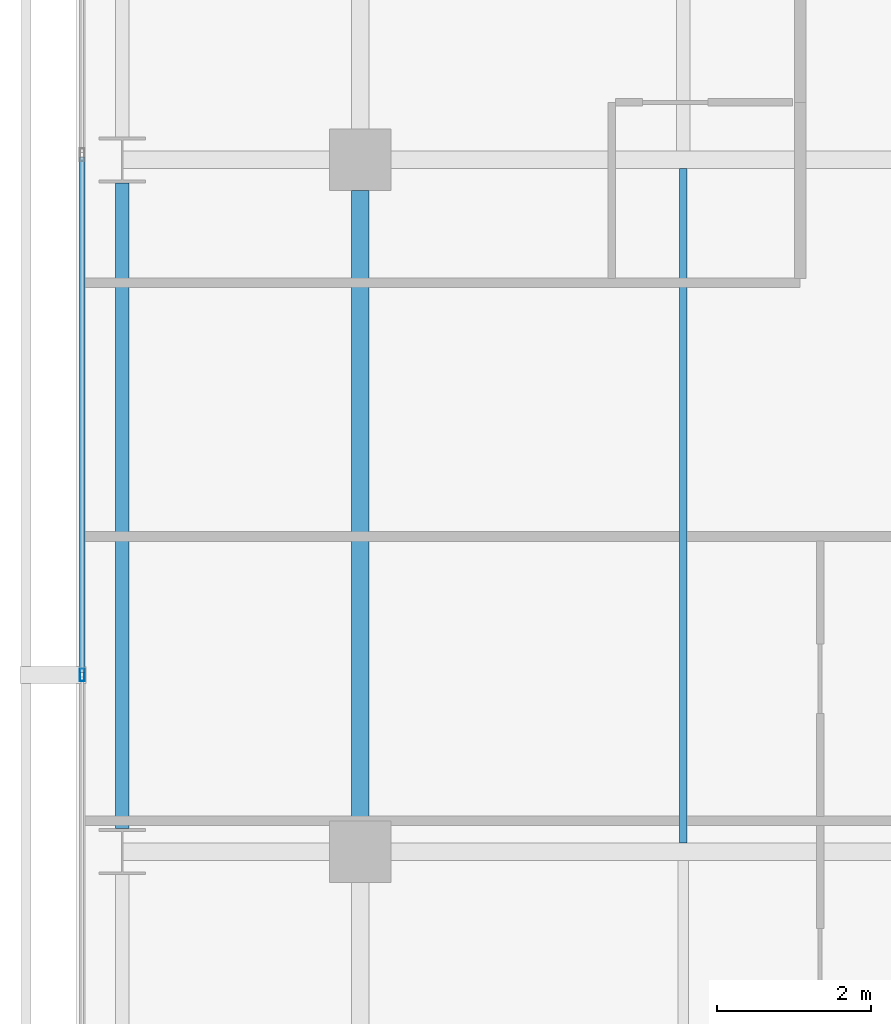
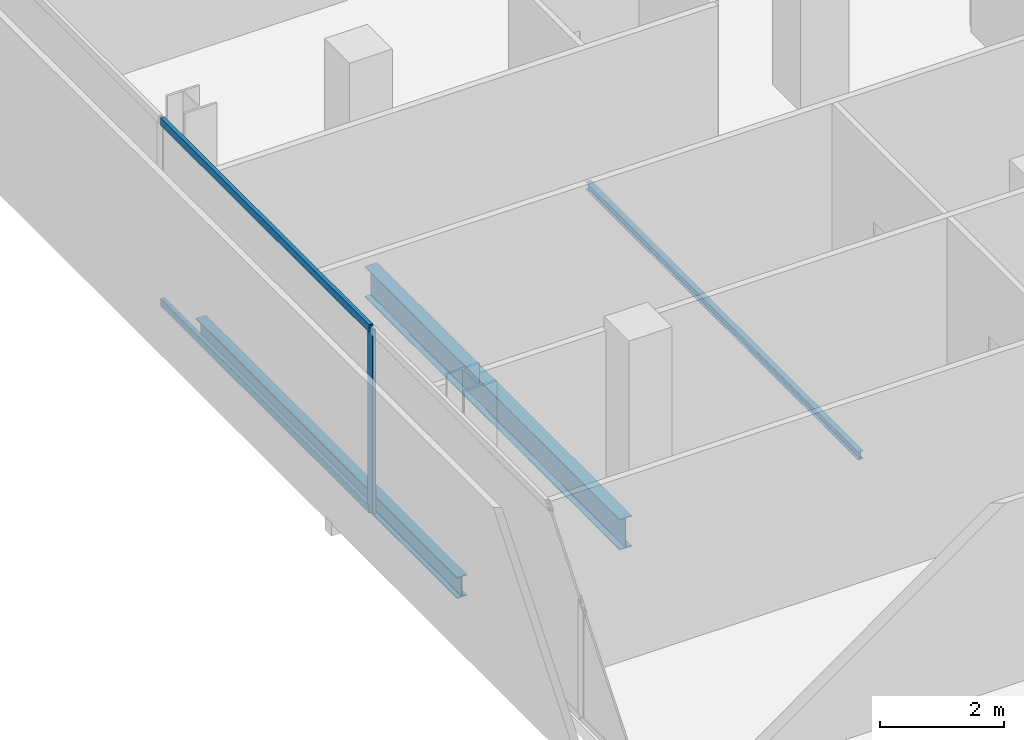
# One storey, part 10 of 34: 3 beams, 3 members, 1 element without a shape of its own.
"""IFC4 building model written with IfcOpenShell, lengths in metres."""

from ifc_helpers import new_model, si_unit, direction, frame, origin, origin_2d, place, context, subcontext, project, spatial, hollow_rectangle, i_section, extrude, material, layer, layer_set, material_profile, profile_set, type_object, element, aggregate, save


model = new_model("IFC4")

# Units and contexts
model_context = context("Model", 3, precision=1e-05, world=origin(), true_north=direction((0.0, 1.0)))
body_context = subcontext(model_context, "Body", "Model", "MODEL_VIEW")
ifc_project = project(units=[si_unit("LENGTHUNIT", "METRE"), si_unit("AREAUNIT", "SQUARE_METRE"), si_unit("VOLUMEUNIT", "CUBIC_METRE"), si_unit("PLANEANGLEUNIT", "RADIAN"), si_unit("MASSUNIT", "GRAM", prefix="KILO")], contexts=[model_context])

# Site, building, storey
site_placement = place(None, origin())
site = spatial("IfcSite", under=ifc_project, at=site_placement, CompositionType="ELEMENT")
building_placement = place(site_placement, origin())
building = spatial("IfcBuilding", under=site, at=building_placement, Name="Maruvema Waterfront Hotel and Observation Tower", CompositionType="ELEMENT")
storey_placement = place(building_placement, frame((0.0, 0.0, 189.0)))
storey = spatial("IfcBuildingStorey", under=building, at=storey_placement, Name="L46", CompositionType="ELEMENT", Elevation=189.0)

# Curtain wall, members
ifc_material_1 = material(Name="Anodised bronze aluminium and solar-control low-E IGU", Category="aluminium")
ifc_layer = layer(ifc_material_1, 0.159912109375, Name="Zone 2 Amber Inner Thermal Curtain Wall System CW-03")
ifc_layer_set = layer_set([ifc_layer], Name="Anodised bronze aluminium and solar-control low-E IGU")
curtain_wall_type = type_object("IfcCurtainWallType", Name="Zone 2 Amber Inner Thermal Curtain Wall System CW-03", PredefinedType="USERDEFINED", material=ifc_layer_set)
curtain_wall_placement = place(storey_placement, origin())
curtain_wall = element("IfcCurtainWall", 1, at=curtain_wall_placement, inside=storey, type_object=curtain_wall_type, Name="L46 Curtain Wall CW-L46-W", ObjectType="UNITISED CURTAIN WALL", PredefinedType="USERDEFINED")
ifc_material_2 = material(Name="Anodised architectural bronze aluminium", Category="aluminium")
ifc_material_profile_1 = material_profile(ifc_material_2, hollow_rectangle(XDim=0.070068359375, YDim=0.14990234375, WallThickness=0.00390625, at=origin_2d()), Name="ALU-T70x150")
ifc_profile_set_1 = profile_set([ifc_material_profile_1], Name="Anodised architectural bronze aluminium")
member_type_1 = type_object("IfcMemberType", Name="Curtain Wall Horizontal Transom ALU-T70x150", PredefinedType="USERDEFINED", material=ifc_profile_set_1)
member_1_placement = place(storey_placement, frame((13.179931640625, 36.03662109375, 0.030029296875), z_axis=(0.0, -1.0, 0.0), x_axis=(1.0, 0.0, 0.0)))
member_1 = element("IfcMember", 2, at=member_1_placement, type_object=member_type_1, Name="CW-03 transom 3.1", ObjectType="TRANSOM", PredefinedType="USERDEFINED", context=body_context, shape_type="SweptSolid", body=[
    extrude(hollow_rectangle(XDim=0.070068359375, YDim=0.14990234375, WallThickness=0.00390625, at=origin_2d()), origin(), (0.0, 0.0, 1.0), 6.70654296875),
])
member_2_placement = place(storey_placement, frame((13.179931640625, 36.03662109375, 3.580078125), z_axis=(0.0, -1.0, 0.0), x_axis=(1.0, 0.0, 0.0)))
member_2 = element("IfcMember", 3, at=member_2_placement, type_object=member_type_1, Name="CW-03 transom 3.2", ObjectType="TRANSOM", PredefinedType="USERDEFINED", context=body_context, shape_type="SweptSolid", body=[
    extrude(hollow_rectangle(XDim=0.070068359375, YDim=0.14990234375, WallThickness=0.00390625, at=origin_2d()), origin(), (0.0, 0.0, 1.0), 6.70654296875),
])
ifc_material_3 = material(Name="Anodised architectural bronze aluminium", Category="aluminium")
ifc_material_profile_2 = material_profile(ifc_material_3, hollow_rectangle(XDim=0.06494140625, YDim=0.1650390625, WallThickness=0.00390625, at=origin_2d()), Name="ALU-M65x165")
ifc_profile_set_2 = profile_set([ifc_material_profile_2], Name="Anodised architectural bronze aluminium")
member_type_2 = type_object("IfcMemberType", Name="Curtain Wall Primary Mullion ALU-M65x165", PredefinedType="MULLION", material=ifc_profile_set_2)
member_3_placement = place(storey_placement, frame((13.179931640625, 29.300048828125, 0.0), z_axis=(0.0, 0.0, 1.0), x_axis=(1.0, 0.0, 0.0)))
member_3 = element("IfcMember", 4, at=member_3_placement, type_object=member_type_2, Name="CW-03 mullion 4", PredefinedType="MULLION", context=body_context, shape_type="SweptSolid", body=[
    extrude(hollow_rectangle(XDim=0.06494140625, YDim=0.1650390625, WallThickness=0.00390625, at=origin_2d()), origin(), (0.0, 0.0, 1.0), 3.610107421875),
])
aggregate(curtain_wall, [member_3, member_1, member_2])

# Beams
ifc_material_4 = material(Name="Steel ASTM A572 Grade 50", Category="steel")
ifc_material_profile_3 = material_profile(ifc_material_4, i_section(OverallWidth=0.180908203125, OverallDepth=0.4169921875, WebThickness=0.010986328125, FlangeThickness=0.018310546875, FilletRadius=0.014892578125, at=origin_2d()), Name="W410x85.0")
ifc_profile_set_3 = profile_set([ifc_material_profile_3], Name="Steel ASTM A572 Grade 50")
beam_type_1 = type_object("IfcBeamType", Name="Perimeter Spandrel Beam W410x85.0", PredefinedType="SPANDREL", material=ifc_profile_set_3)
beam_1_placement = place(storey_placement, frame((13.699951171875, 27.300048828125, -0.448486328125), z_axis=(0.0, 1.0, 0.0), x_axis=(-1.0, 0.0, 0.0)))
element("IfcBeam", 5, at=beam_1_placement, inside=storey, type_object=beam_type_1, Name="L46 Floor Girder NS-03", PredefinedType="SPANDREL", context=body_context, shape_type="SweptSolid", body=[
    extrude(i_section(OverallWidth=0.180908203125, OverallDepth=0.4169921875, WebThickness=0.010986328125, FlangeThickness=0.018310546875, FilletRadius=0.014892578125, at=origin_2d()), origin(), (0.0, 0.0, 1.0), 8.39990234375),
])
ifc_material_5 = material(Name="Steel ASTM A572 Grade 50", Category="steel")
ifc_material_profile_4 = material_profile(ifc_material_5, i_section(OverallWidth=0.22802734375, OverallDepth=0.60302734375, WebThickness=0.010498046875, FlangeThickness=0.014892578125, FilletRadius=0.01806640625, at=origin_2d()), Name="W610x101.0")
ifc_profile_set_4 = profile_set([ifc_material_profile_4], Name="Steel ASTM A572 Grade 50")
beam_type_2 = type_object("IfcBeamType", Name="Primary Floor Girder W610x101.0", PredefinedType="BEAM", material=ifc_profile_set_4)
beam_2_placement = place(storey_placement, frame((16.800048828125, 27.39990234375, -0.54150390625), z_axis=(0.0, 1.0, 0.0), x_axis=(-1.0, 0.0, 0.0)))
element("IfcBeam", 6, at=beam_2_placement, inside=storey, type_object=beam_type_2, Name="L46 Floor Girder NS-07", PredefinedType="BEAM", context=body_context, shape_type="SweptSolid", body=[
    extrude(i_section(OverallWidth=0.22802734375, OverallDepth=0.60302734375, WebThickness=0.010498046875, FlangeThickness=0.014892578125, FilletRadius=0.01806640625, at=origin_2d()), origin(), (0.0, 0.0, 1.0), 8.2001953125),
])
ifc_material_6 = material(Name="Steel ASTM A572 Grade 50", Category="steel")
ifc_material_profile_5 = material_profile(ifc_material_6, i_section(OverallWidth=0.10009765625, OverallDepth=0.153076171875, WebThickness=0.005859375, FlangeThickness=0.007080078125, FilletRadius=0.008056640625, at=origin_2d()), Name="W150x18.0")
ifc_profile_set_5 = profile_set([ifc_material_profile_5], Name="Steel ASTM A572 Grade 50")
beam_type_3 = type_object("IfcBeamType", Name="Secondary Floor Joist W150x18.0", PredefinedType="JOIST", material=ifc_profile_set_5)
beam_3_placement = place(storey_placement, frame((21.0, 27.114013671875, -0.31640625), z_axis=(0.0, 1.0, 0.0), x_axis=(-1.0, 0.0, 0.0)))
element("IfcBeam", 7, at=beam_3_placement, inside=storey, type_object=beam_type_3, Name="L46 Secondary Floor Joist JS-03", PredefinedType="JOIST", context=body_context, shape_type="SweptSolid", body=[
    extrude(i_section(OverallWidth=0.10009765625, OverallDepth=0.153076171875, WebThickness=0.005859375, FlangeThickness=0.007080078125, FilletRadius=0.008056640625, at=origin_2d()), origin(), (0.0, 0.0, 1.0), 8.77197265625),
])

save(model, "model.ifc")
